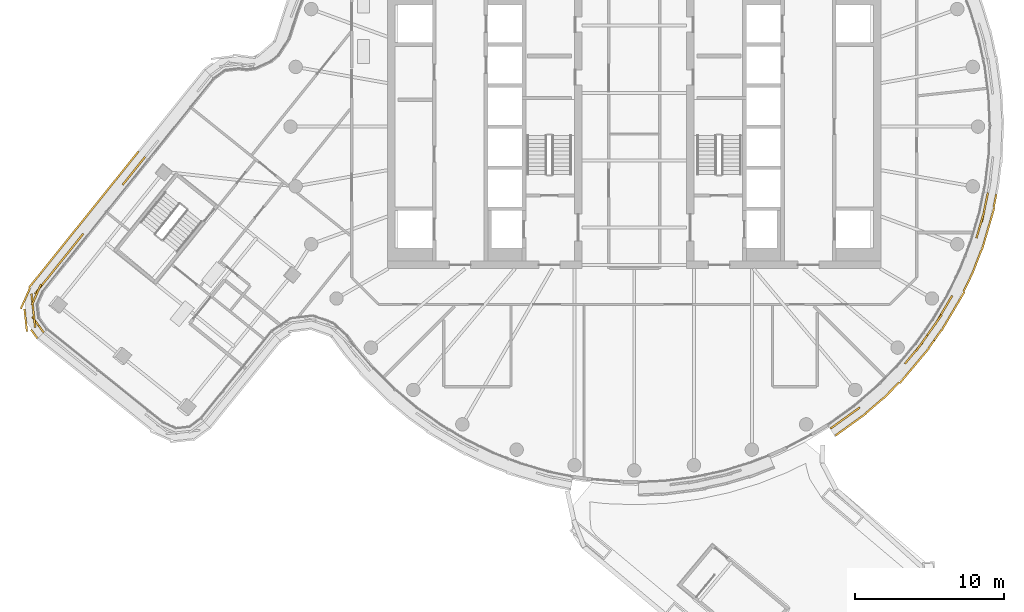
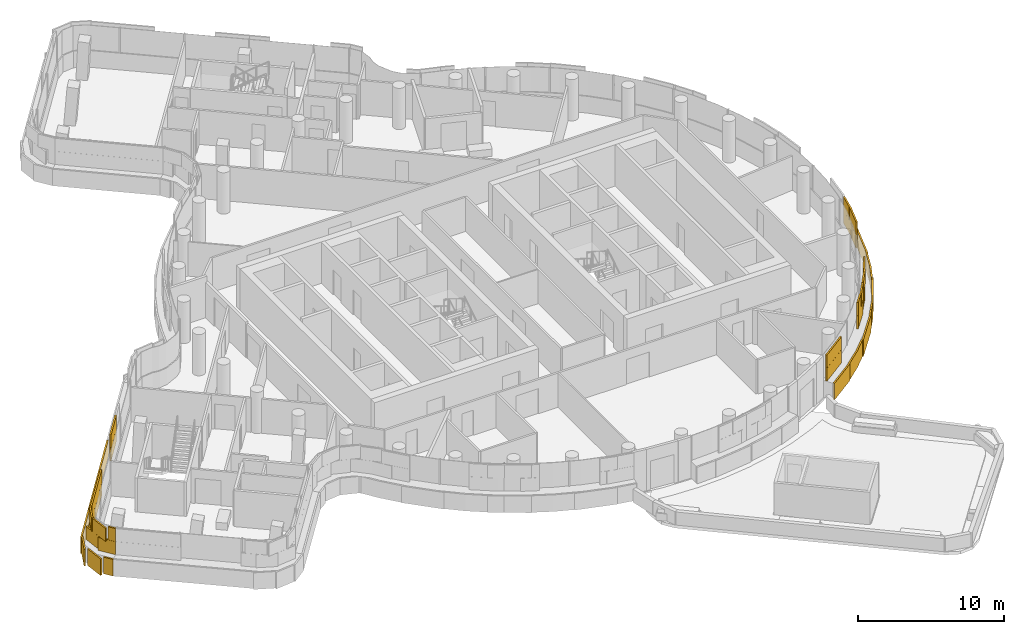
# One storey, part 21 of 25: 3 coverings.
"""IFC4 building model written with IfcOpenShell, lengths in metres."""

from ifc_helpers import new_model, si_unit, direction, frame, origin, origin_2d, place, context, subcontext, project, spatial, rectangle, extrude, material, layer, layer_set, type_object, element, save


model = new_model("IFC4")

# Units and contexts
model_context = context("Model", 3, precision=1e-05, world=origin(), true_north=direction((0.0, 1.0)))
body_context = subcontext(model_context, "Body", "Model", "MODEL_VIEW")
ifc_project = project(units=[si_unit("LENGTHUNIT", "METRE"), si_unit("AREAUNIT", "SQUARE_METRE"), si_unit("VOLUMEUNIT", "CUBIC_METRE"), si_unit("PLANEANGLEUNIT", "RADIAN"), si_unit("MASSUNIT", "GRAM", prefix="KILO")], contexts=[model_context])

# Site, building, storey
site_placement = place(None, origin())
site = spatial("IfcSite", under=ifc_project, at=site_placement, CompositionType="ELEMENT")
building_placement = place(site_placement, origin())
building = spatial("IfcBuilding", under=site, at=building_placement, Name="Tamarind Cross Interchange Tower", CompositionType="ELEMENT")
storey_placement = place(building_placement, frame((0.0, 0.0, 219.89990234375)))
storey = spatial("IfcBuildingStorey", under=building, at=storey_placement, Name="L55", CompositionType="ELEMENT", Elevation=219.89990234375)

# Coverings
ifc_material = material(Name="Terracotta", Category="masonry")
ifc_layer = layer(ifc_material, 0.1201171875)
ifc_layer_set = layer_set([ifc_layer], Name="Terracotta")
covering_type = type_object("IfcCoveringType", Name="Terracotta baguette screen unit", PredefinedType="MOLDING", material=ifc_layer_set)
covering_1_placement = place(storey_placement, origin())
element("IfcCovering", 1, at=covering_1_placement, inside=storey, type_object=covering_type, Name="SCR-L55-02-04", PredefinedType="MOLDING", context=body_context, shape_type="SweptSolid", body=[
    extrude(rectangle(XDim=0.987060546875, YDim=0.1201171875, at=origin_2d()), frame((13.52587890625, -19.915771484375, 1.404296875), z_axis=(0.0, 0.0, 1.0), x_axis=(0.811340475102, 0.584573890505, 0.0)), (0.0, 0.0, 1.0), 1.092041015625),
    extrude(rectangle(XDim=1.454345703125, YDim=0.1201171875, at=origin_2d()), frame((14.50830078125, -19.2080078125, 1.404296875), z_axis=(0.0, 0.0, 1.0), x_axis=(0.811340475102, 0.584573890505, 0.0)), (0.0, 0.0, 1.0), 1.092041015625),
    extrude(rectangle(XDim=0.36572265625, YDim=0.1201171875, at=origin_2d()), frame((18.21875, -15.726806640625, 1.404296875), z_axis=(0.0, 0.0, 1.0), x_axis=(0.643009266048, 0.765858396687, 0.0)), (0.0, 0.0, 1.0), 1.092041015625),
    extrude(rectangle(XDim=1.52001953125, YDim=0.1201171875, at=origin_2d()), frame((18.8154296875, -15.01611328125, 1.404296875), z_axis=(0.0, 0.0, 1.0), x_axis=(0.643009266048, 0.765858396687, 0.0)), (0.0, 0.0, 1.0), 1.092041015625),
    extrude(rectangle(XDim=0.57568359375, YDim=0.1201171875, at=origin_2d()), frame((19.43798828125, -14.19287109375, 1.404296875), z_axis=(0.0, 0.0, 1.0), x_axis=(0.577568978284, 0.816341886298, 0.0)), (0.0, 0.0, 1.0), 1.092041015625),
    extrude(rectangle(XDim=0.237060546875, YDim=0.1201171875, at=origin_2d()), frame((13.219482421875, -20.1318359375, 2.50390625), z_axis=(0.0, 0.0, 1.0), x_axis=(0.856843065292, 0.515577308909, 0.0)), (0.0, 0.0, 1.0), 1.092041015625),
    extrude(rectangle(XDim=1.52001953125, YDim=0.1201171875, at=origin_2d()), frame((13.92236328125, -19.630126953125, 2.50390625), z_axis=(0.0, 0.0, 1.0), x_axis=(0.811340475102, 0.584573890505, 0.0)), (0.0, 0.0, 1.0), 1.092041015625),
    extrude(rectangle(XDim=0.704345703125, YDim=0.1201171875, at=origin_2d()), frame((14.8125, -18.98876953125, 2.50390625), z_axis=(0.0, 0.0, 1.0), x_axis=(0.811340475102, 0.584573890505, 0.0)), (0.0, 0.0, 1.0), 1.092041015625),
    extrude(rectangle(XDim=1.11572265625, YDim=0.1201171875, at=origin_2d()), frame((18.4599609375, -15.439453125, 2.50390625), z_axis=(0.0, 0.0, 1.0), x_axis=(0.643009266048, 0.765858396687, 0.0)), (0.0, 0.0, 1.0), 1.092041015625),
    extrude(rectangle(XDim=1.32568359375, YDim=0.1201171875, at=origin_2d()), frame((19.221435546875, -14.4990234375, 2.50390625), z_axis=(0.0, 0.0, 1.0), x_axis=(0.577568978284, 0.816341886298, 0.0)), (0.0, 0.0, 1.0), 1.092041015625),
    extrude(rectangle(XDim=1.095458984375, YDim=0.1201171875, at=origin_2d()), frame((13.88720703125, -20.363037109375, 0.004150390625), z_axis=(0.0, 0.0, 1.0), x_axis=(0.811340475102, 0.584573890505, 0.0)), (0.0, 0.0, 1.0), 1.39208984375),
    extrude(rectangle(XDim=1.52001953125, YDim=0.1201171875, at=origin_2d()), frame((14.931884765625, -19.6103515625, 0.004150390625), z_axis=(0.0, 0.0, 1.0), x_axis=(0.811340475102, 0.584573890505, 0.0)), (0.0, 0.0, 1.0), 1.39208984375),
    extrude(rectangle(XDim=1.52001953125, YDim=0.1201171875, at=origin_2d()), frame((16.091064453125, -18.659912109375, 0.004150390625), z_axis=(0.0, 0.0, 1.0), x_axis=(0.760295606781, 0.64957723968, 0.0)), (0.0, 0.0, 1.0), 1.39208984375),
    extrude(rectangle(XDim=1.52001953125, YDim=0.1201171875, at=origin_2d()), frame((17.1982421875, -17.649658203125, 0.004150390625), z_axis=(0.0, 0.0, 1.0), x_axis=(0.704057148523, 0.710143317658, 0.0)), (0.0, 0.0, 1.0), 1.39208984375),
    extrude(rectangle(XDim=1.52001953125, YDim=0.1201171875, at=origin_2d()), frame((18.250732421875, -16.581298828125, 0.004150390625), z_axis=(0.0, 0.0, 1.0), x_axis=(0.643009266048, 0.765858396687, 0.0)), (0.0, 0.0, 1.0), 1.39208984375),
    extrude(rectangle(XDim=1.52001953125, YDim=0.1201171875, at=origin_2d()), frame((19.21533203125, -15.432373046875, 0.004150390625), z_axis=(0.0, 0.0, 1.0), x_axis=(0.643009266048, 0.765858396687, 0.0)), (0.0, 0.0, 1.0), 1.39208984375),
    extrude(rectangle(XDim=0.68310546875, YDim=0.1201171875, at=origin_2d()), frame((19.87158203125, -14.573974609375, 0.004150390625), z_axis=(0.0, 0.0, 1.0), x_axis=(0.577568978284, 0.816341886298, 0.0)), (0.0, 0.0, 1.0), 1.39208984375),
])
covering_2_placement = place(storey_placement, origin())
element("IfcCovering", 2, at=covering_2_placement, inside=storey, type_object=covering_type, Name="SCR-L55-02-05", PredefinedType="MOLDING", context=body_context, shape_type="SweptSolid", body=[
    extrude(rectangle(XDim=0.9443359375, YDim=0.1201171875, at=origin_2d()), frame((19.87109375, -13.580810546875, 1.404296875), z_axis=(0.0, 0.0, 1.0), x_axis=(0.577568978284, 0.816341886298, 0.0)), (0.0, 0.0, 1.0), 1.092041015625),
    extrude(rectangle(XDim=1.52001953125, YDim=0.1201171875, at=origin_2d()), frame((20.53173828125, -12.5595703125, 1.404296875), z_axis=(0.0, 0.0, 1.0), x_axis=(0.508183308752, 0.861248933065, 0.0)), (0.0, 0.0, 1.0), 1.092041015625),
    extrude(rectangle(XDim=0.705810546875, YDim=0.1201171875, at=origin_2d()), frame((21.089599609375, -11.614013671875, 1.404296875), z_axis=(0.0, 0.0, 1.0), x_axis=(0.508183308752, 0.861248933065, 0.0)), (0.0, 0.0, 1.0), 1.092041015625),
    extrude(rectangle(XDim=1.1142578125, YDim=0.1201171875, at=origin_2d()), frame((23.050048828125, -6.91845703125, 1.404296875), z_axis=(0.0, 0.0, 1.0), x_axis=(0.281208920763, 0.95964657186, 0.0)), (0.0, 0.0, 1.0), 1.092041015625),
    extrude(rectangle(XDim=1.52001953125, YDim=0.1201171875, at=origin_2d()), frame((23.404296875, -5.665771484375, 1.404296875), z_axis=(0.0, 0.0, 1.0), x_axis=(0.201001463943, 0.9795909409, 0.0)), (0.0, 0.0, 1.0), 1.092041015625),
    extrude(rectangle(XDim=0.535888671875, YDim=0.1201171875, at=origin_2d()), frame((23.60791015625, -4.673583984375, 1.404296875), z_axis=(0.0, 0.0, 1.0), x_axis=(0.201001463943, 0.9795909409, 0.0)), (0.0, 0.0, 1.0), 1.092041015625),
    extrude(rectangle(XDim=0.1943359375, YDim=0.1201171875, at=origin_2d()), frame((19.654541015625, -13.88671875, 2.50390625), z_axis=(0.0, 0.0, 1.0), x_axis=(0.577568978284, 0.816341886298, 0.0)), (0.0, 0.0, 1.0), 1.092041015625),
    extrude(rectangle(XDim=1.52001953125, YDim=0.1201171875, at=origin_2d()), frame((20.140869140625, -13.19921875, 2.50390625), z_axis=(0.0, 0.0, 1.0), x_axis=(0.577568978284, 0.816341886298, 0.0)), (0.0, 0.0, 1.0), 1.092041015625),
    extrude(rectangle(XDim=1.455810546875, YDim=0.1201171875, at=origin_2d()), frame((20.89892578125, -11.93701171875, 2.50390625), z_axis=(0.0, 0.0, 1.0), x_axis=(0.508183308752, 0.861248933065, 0.0)), (0.0, 0.0, 1.0), 1.092041015625),
    extrude(rectangle(XDim=0.3642578125, YDim=0.1201171875, at=origin_2d()), frame((22.944580078125, -7.2783203125, 2.50390625), z_axis=(0.0, 0.0, 1.0), x_axis=(0.281208920763, 0.95964657186, 0.0)), (0.0, 0.0, 1.0), 1.092041015625),
    extrude(rectangle(XDim=1.52001953125, YDim=0.1201171875, at=origin_2d()), frame((23.205322265625, -6.388671875, 2.50390625), z_axis=(0.0, 0.0, 1.0), x_axis=(0.281208920763, 0.95964657186, 0.0)), (0.0, 0.0, 1.0), 1.092041015625),
    extrude(rectangle(XDim=1.285888671875, YDim=0.1201171875, at=origin_2d()), frame((23.532470703125, -5.040771484375, 2.50390625), z_axis=(0.0, 0.0, 1.0), x_axis=(0.201001463943, 0.9795909409, 0.0)), (0.0, 0.0, 1.0), 1.092041015625),
    extrude(rectangle(XDim=0.8369140625, YDim=0.1201171875, at=origin_2d()), frame((20.310546875, -13.95361328125, 0.004150390625), z_axis=(0.0, 0.0, 1.0), x_axis=(0.577568978284, 0.816341886298, 0.0)), (0.0, 0.0, 1.0), 1.39208984375),
    extrude(rectangle(XDim=1.52001953125, YDim=0.1201171875, at=origin_2d()), frame((20.9462890625, -12.986328125, 0.004150390625), z_axis=(0.0, 0.0, 1.0), x_axis=(0.508183308752, 0.861248933065, 0.0)), (0.0, 0.0, 1.0), 1.39208984375),
    extrude(rectangle(XDim=1.52001953125, YDim=0.1201171875, at=origin_2d()), frame((21.708740234375, -11.6943359375, 0.004150390625), z_axis=(0.0, 0.0, 1.0), x_axis=(0.508183308752, 0.861248933065, 0.0)), (0.0, 0.0, 1.0), 1.39208984375),
    extrude(rectangle(XDim=1.52001953125, YDim=0.1201171875, at=origin_2d()), frame((22.365966796875, -10.34619140625, 0.004150390625), z_axis=(0.0, 0.0, 1.0), x_axis=(0.435326231914, 0.900272776334, 0.0)), (0.0, 0.0, 1.0), 1.39208984375),
    extrude(rectangle(XDim=1.52001953125, YDim=0.1201171875, at=origin_2d()), frame((22.950439453125, -8.966064453125, 0.004150390625), z_axis=(0.0, 0.0, 1.0), x_axis=(0.359495435512, 0.933146843667, 0.0)), (0.0, 0.0, 1.0), 1.39208984375),
    extrude(rectangle(XDim=1.52001953125, YDim=0.1201171875, at=origin_2d()), frame((23.461181640625, -7.556884765625, 0.004150390625), z_axis=(0.0, 0.0, 1.0), x_axis=(0.281208920763, 0.95964657186, 0.0)), (0.0, 0.0, 1.0), 1.39208984375),
    extrude(rectangle(XDim=1.52001953125, YDim=0.1201171875, at=origin_2d()), frame((23.883056640625, -6.117431640625, 0.004150390625), z_axis=(0.0, 0.0, 1.0), x_axis=(0.281208920763, 0.95964657186, 0.0)), (0.0, 0.0, 1.0), 1.39208984375),
    extrude(rectangle(XDim=0.892822265625, YDim=0.1201171875, at=origin_2d()), frame((24.13525390625, -4.95849609375, 0.004150390625), z_axis=(0.0, 0.0, 1.0), x_axis=(0.201001463943, 0.9795909409, 0.0)), (0.0, 0.0, 1.0), 1.39208984375),
])
covering_3_placement = place(storey_placement, origin())
element("IfcCovering", 3, at=covering_3_placement, inside=storey, type_object=covering_type, Name="SCR-L55-07-01", PredefinedType="MOLDING", context=body_context, shape_type="SweptSolid", body=[
    extrude(rectangle(XDim=1.265380859375, YDim=0.1201171875, at=origin_2d()), frame((-33.1181640625, -2.51220703125, 1.404296875), z_axis=(0.0, 0.0, 1.0), x_axis=(-0.62666909883, -0.779285467959, 0.0)), (0.0, 0.0, 1.0), 1.092041015625),
    extrude(rectangle(XDim=1.160400390625, YDim=0.1201171875, at=origin_2d()), frame((-33.8720703125, -3.449462890625, 1.404296875), z_axis=(0.0, 0.0, 1.0), x_axis=(-0.62666909883, -0.779285467959, 0.0)), (0.0, 0.0, 1.0), 1.092041015625),
    extrude(rectangle(XDim=0.65966796875, YDim=0.1201171875, at=origin_2d()), frame((-37.068115234375, -7.423828125, 1.404296875), z_axis=(0.0, 0.0, 1.0), x_axis=(-0.62666909883, -0.779285467959, 0.0)), (0.0, 0.0, 1.0), 1.092041015625),
    extrude(rectangle(XDim=1.52001953125, YDim=0.1201171875, at=origin_2d()), frame((-37.74169921875, -8.261474609375, 1.404296875), z_axis=(0.0, 0.0, 1.0), x_axis=(-0.62666909883, -0.779285467959, 0.0)), (0.0, 0.0, 1.0), 1.092041015625),
    extrude(rectangle(XDim=1.52001953125, YDim=0.1201171875, at=origin_2d()), frame((-38.681640625, -9.430419921875, 1.404296875), z_axis=(0.0, 0.0, 1.0), x_axis=(-0.62666909883, -0.779285467959, 0.0)), (0.0, 0.0, 1.0), 1.092041015625),
    extrude(rectangle(XDim=1.52001953125, YDim=0.1201171875, at=origin_2d()), frame((-39.62158203125, -10.599365234375, 1.404296875), z_axis=(0.0, 0.0, 1.0), x_axis=(-0.62666909883, -0.779285467959, 0.0)), (0.0, 0.0, 1.0), 1.092041015625),
    extrude(rectangle(XDim=1.52001953125, YDim=0.1201171875, at=origin_2d()), frame((-40.24560546875, -11.93603515625, 1.404296875), z_axis=(0.0, 0.0, 1.0), x_axis=(0.107916069531, -0.994160008217, 0.0)), (0.0, 0.0, 1.0), 1.092041015625),
    extrude(rectangle(XDim=1.309814453125, YDim=0.1201171875, at=origin_2d()), frame((-39.89111328125, -13.2490234375, 1.404296875), z_axis=(0.0, 0.0, 1.0), x_axis=(0.590538061798, -0.807009787777, 0.0)), (0.0, 0.0, 1.0), 1.092041015625),
    extrude(rectangle(XDim=0.515380859375, YDim=0.1201171875, at=origin_2d()), frame((-32.88330078125, -2.219970703125, 2.50390625), z_axis=(0.0, 0.0, 1.0), x_axis=(-0.62666909883, -0.779285467959, 0.0)), (0.0, 0.0, 1.0), 1.092041015625),
    extrude(rectangle(XDim=1.52001953125, YDim=0.1201171875, at=origin_2d()), frame((-33.511474609375, -3.001220703125, 2.50390625), z_axis=(0.0, 0.0, 1.0), x_axis=(-0.62666909883, -0.779285467959, 0.0)), (0.0, 0.0, 1.0), 1.092041015625),
    extrude(rectangle(XDim=0.410400390625, YDim=0.1201171875, at=origin_2d()), frame((-34.10693359375, -3.74169921875, 2.50390625), z_axis=(0.0, 0.0, 1.0), x_axis=(-0.62666909883, -0.779285467959, 0.0)), (0.0, 0.0, 1.0), 1.092041015625),
    extrude(rectangle(XDim=1.40966796875, YDim=0.1201171875, at=origin_2d()), frame((-37.302978515625, -7.716064453125, 2.50390625), z_axis=(0.0, 0.0, 1.0), x_axis=(-0.62666909883, -0.779285467959, 0.0)), (0.0, 0.0, 1.0), 1.092041015625),
    extrude(rectangle(XDim=1.52001953125, YDim=0.1201171875, at=origin_2d()), frame((-38.211669921875, -8.845947265625, 2.50390625), z_axis=(0.0, 0.0, 1.0), x_axis=(-0.62666909883, -0.779285467959, 0.0)), (0.0, 0.0, 1.0), 1.092041015625),
    extrude(rectangle(XDim=1.52001953125, YDim=0.1201171875, at=origin_2d()), frame((-39.151611328125, -10.014892578125, 2.50390625), z_axis=(0.0, 0.0, 1.0), x_axis=(-0.62666909883, -0.779285467959, 0.0)), (0.0, 0.0, 1.0), 1.092041015625),
    extrude(rectangle(XDim=1.52001953125, YDim=0.1201171875, at=origin_2d()), frame((-39.99658203125, -11.241455078125, 2.50390625), z_axis=(0.0, 0.0, 1.0), x_axis=(-0.403621946418, -0.914925857307, 0.0)), (0.0, 0.0, 1.0), 1.092041015625),
    extrude(rectangle(XDim=1.52001953125, YDim=0.1201171875, at=origin_2d()), frame((-40.16455078125, -12.681640625, 2.50390625), z_axis=(0.0, 0.0, 1.0), x_axis=(0.107916069531, -0.994160008217, 0.0)), (0.0, 0.0, 1.0), 1.092041015625),
    extrude(rectangle(XDim=0.559814453125, YDim=0.1201171875, at=origin_2d()), frame((-39.669677734375, -13.551513671875, 2.50390625), z_axis=(0.0, 0.0, 1.0), x_axis=(0.590538061798, -0.807009787777, 0.0)), (0.0, 0.0, 1.0), 1.092041015625),
    extrude(rectangle(XDim=1.208251953125, YDim=0.1201171875, at=origin_2d()), frame((-33.5400390625, -2.120849609375, 0.004150390625), z_axis=(0.0, 0.0, 1.0), x_axis=(-0.62666909883, -0.779285467959, 0.0)), (0.0, 0.0, 1.0), 1.39208984375),
    extrude(rectangle(XDim=1.52001953125, YDim=0.1201171875, at=origin_2d()), frame((-34.382568359375, -3.168212890625, 0.004150390625), z_axis=(0.0, 0.0, 1.0), x_axis=(-0.62666909883, -0.779285467959, 0.0)), (0.0, 0.0, 1.0), 1.39208984375),
    extrude(rectangle(XDim=1.52001953125, YDim=0.1201171875, at=origin_2d()), frame((-35.322509765625, -4.337158203125, 0.004150390625), z_axis=(0.0, 0.0, 1.0), x_axis=(-0.62666909883, -0.779285467959, 0.0)), (0.0, 0.0, 1.0), 1.39208984375),
    extrude(rectangle(XDim=1.52001953125, YDim=0.1201171875, at=origin_2d()), frame((-36.262451171875, -5.506103515625, 0.004150390625), z_axis=(0.0, 0.0, 1.0), x_axis=(-0.62666909883, -0.779285467959, 0.0)), (0.0, 0.0, 1.0), 1.39208984375),
    extrude(rectangle(XDim=1.52001953125, YDim=0.1201171875, at=origin_2d()), frame((-37.202392578125, -6.675048828125, 0.004150390625), z_axis=(0.0, 0.0, 1.0), x_axis=(-0.62666909883, -0.779285467959, 0.0)), (0.0, 0.0, 1.0), 1.39208984375),
    extrude(rectangle(XDim=1.52001953125, YDim=0.1201171875, at=origin_2d()), frame((-38.142578125, -7.843994140625, 0.004150390625), z_axis=(0.0, 0.0, 1.0), x_axis=(-0.62666909883, -0.779285467959, 0.0)), (0.0, 0.0, 1.0), 1.39208984375),
    extrude(rectangle(XDim=1.52001953125, YDim=0.1201171875, at=origin_2d()), frame((-39.08251953125, -9.012939453125, 0.004150390625), z_axis=(0.0, 0.0, 1.0), x_axis=(-0.62666909883, -0.779285467959, 0.0)), (0.0, 0.0, 1.0), 1.39208984375),
    extrude(rectangle(XDim=1.52001953125, YDim=0.1201171875, at=origin_2d()), frame((-40.0224609375, -10.181884765625, 0.004150390625), z_axis=(0.0, 0.0, 1.0), x_axis=(-0.62666909883, -0.779285467959, 0.0)), (0.0, 0.0, 1.0), 1.39208984375),
    extrude(rectangle(XDim=1.52001953125, YDim=0.1201171875, at=origin_2d()), frame((-40.733642578125, -11.489990234375, 0.004150390625), z_axis=(0.0, 0.0, 1.0), x_axis=(-0.403621946418, -0.914925857307, 0.0)), (0.0, 0.0, 1.0), 1.39208984375),
    extrude(rectangle(XDim=1.52001953125, YDim=0.1201171875, at=origin_2d()), frame((-40.7119140625, -12.959716796875, 0.004150390625), z_axis=(0.0, 0.0, 1.0), x_axis=(0.107916069531, -0.994160008217, 0.0)), (0.0, 0.0, 1.0), 1.39208984375),
    extrude(rectangle(XDim=0.725830078125, YDim=0.1201171875, at=origin_2d()), frame((-40.14013671875, -13.880615234375, 0.004150390625), z_axis=(0.0, 0.0, 1.0), x_axis=(0.590538061798, -0.807009787777, 0.0)), (0.0, 0.0, 1.0), 1.39208984375),
])

save(model, "model.ifc")
